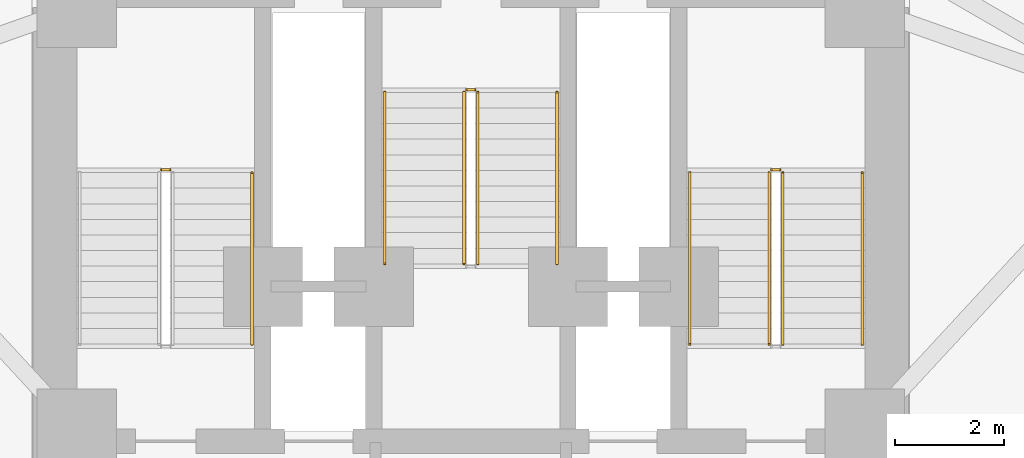
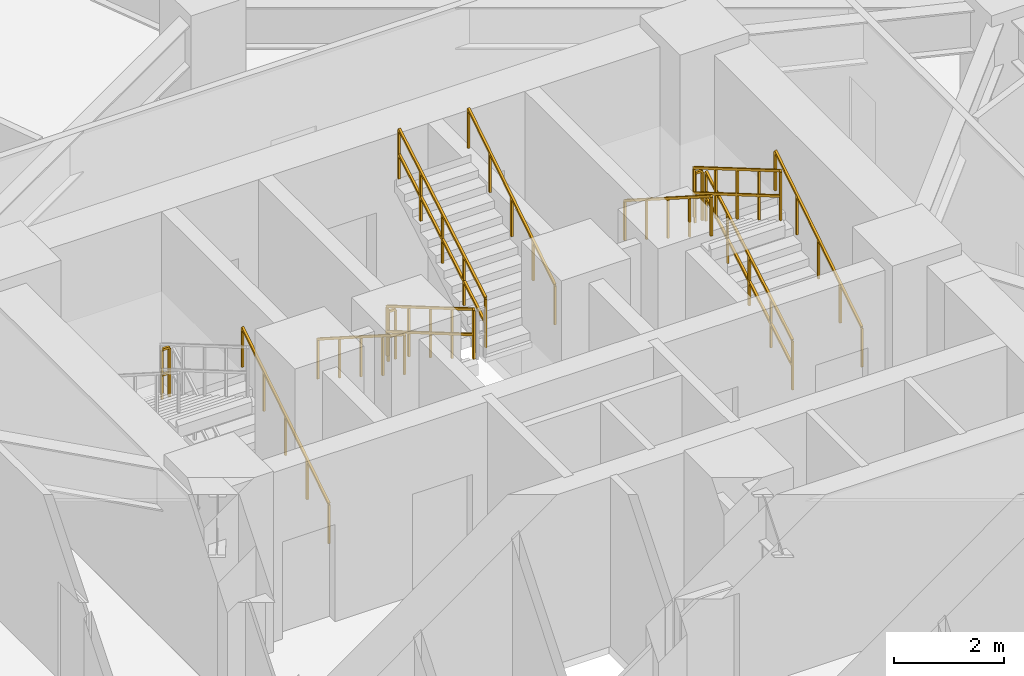
# One storey, part 12 of 12: 12 railings.
"""IFC4 building model written with IfcOpenShell, lengths in metres."""

import ifcopenshell
import ifcopenshell.guid

model = None  # the IFC model being written
_history = None  # IfcOwnerHistory: only IFC2X3 demands one
_inside = {}  # id of a spatial element -> (the spatial element, [elements in it])
_under = {}  # id of a project, library or spatial element -> (it, [spatial elements below it])
_declared = {}  # id of a project -> (the project, [libraries it declares])
_typed = {}  # id of a type object -> (the type object, [elements of that type])
_made_of = {}  # id of a material, layer set ... -> (it, [elements and type objects made of it])


def new_model(schema):
    """Start an empty IFC model of exactly this schema.

    Asked for "IFC4X3", IfcOpenShell would pick the latest addendum, in which some entities
    have other attributes; the version numbers below select the first issue.
    IFC2X3 requires an IfcOwnerHistory on every rooted entity: one is made here for all.
    """
    global model, _history
    if schema == "IFC4X3":
        model = ifcopenshell.file(schema_version=(4, 3, 0, 0))
    else:
        model = ifcopenshell.file(schema=schema)
    _inside.clear()
    _under.clear()
    _declared.clear()
    _typed.clear()
    _made_of.clear()
    _history = None
    if model.schema == "IFC2X3":
        org = make("IfcOrganization", Name="unknown")
        user = make(
            "IfcPersonAndOrganization",
            ThePerson=make("IfcPerson", FamilyName="unknown"),
            TheOrganization=org,
        )
        app = make(
            "IfcApplication",
            ApplicationDeveloper=org,
            Version="unknown",
            ApplicationFullName="unknown",
            ApplicationIdentifier="unknown",
        )
        _history = make(
            "IfcOwnerHistory",
            OwningUser=user,
            OwningApplication=app,
            ChangeAction="ADDED",
            CreationDate=0,
        )
    return model


def make(cls, **values):
    """One entity of the class cls with the attributes given. An attribute that is None is left unset."""
    return model.create_entity(
        cls, **{name: value for name, value in values.items() if value is not None}
    )


def rooted(cls, **values):
    """An entity with a GlobalId (a new one), such as an element, a storey or a relation."""
    return make(cls, GlobalId=ifcopenshell.guid.new(), OwnerHistory=_history, **values)


def si_unit(unit_type, name, prefix=None):
    """IfcSIUnit, for example si_unit("LENGTHUNIT", "METRE", prefix="MILLI")."""
    return make("IfcSIUnit", UnitType=unit_type, Prefix=prefix, Name=name)


def assignment(units):
    """IfcUnitAssignment: the units of a project."""
    return None if units is None else make("IfcUnitAssignment", Units=units)


def point(xyz):
    """IfcCartesianPoint."""
    return None if xyz is None else make("IfcCartesianPoint", Coordinates=xyz)


def direction(xyz):
    """IfcDirection."""
    return None if xyz is None else make("IfcDirection", DirectionRatios=xyz)


def frame(location, z_axis=None, x_axis=None):
    """IfcAxis2Placement3D, a coordinate frame: its origin and axes. An axis left out is left unset."""
    return make(
        "IfcAxis2Placement3D",
        Location=point(location),
        Axis=direction(z_axis),
        RefDirection=direction(x_axis),
    )


def frame_2d(location, x_axis=None):
    """IfcAxis2Placement2D, a coordinate frame in the plane: its origin and x axis."""
    return make(
        "IfcAxis2Placement2D", Location=point(location), RefDirection=direction(x_axis)
    )


def origin():
    """The frame at (0, 0, 0) with its axes left unset."""
    return frame((0.0, 0.0, 0.0))


def origin_2d():
    """The frame at (0, 0) in the plane with its x axis left unset."""
    return frame_2d((0.0, 0.0))


def place(relative_to, where):
    """IfcLocalPlacement: puts the frame where relative to a parent placement (None: the world)."""
    return make(
        "IfcLocalPlacement", PlacementRelTo=relative_to, RelativePlacement=where
    )


def context(
    kind, dimensions, precision=None, world=None, true_north=None, identifier=None
):
    """IfcGeometricRepresentationContext, for example the 3D "Model" context."""
    return make(
        "IfcGeometricRepresentationContext",
        ContextIdentifier=identifier,
        ContextType=kind,
        CoordinateSpaceDimension=dimensions,
        Precision=precision,
        WorldCoordinateSystem=world,
        TrueNorth=true_north,
    )


def subcontext(parent, identifier, kind, view, scale=None):
    """IfcGeometricRepresentationSubContext, for example "Body" below "Model"."""
    return make(
        "IfcGeometricRepresentationSubContext",
        ContextIdentifier=identifier,
        ContextType=kind,
        ParentContext=parent,
        TargetScale=scale,
        TargetView=view,
    )


def project(units=None, contexts=None):
    """IfcProject with its units and contexts."""
    return rooted(
        "IfcProject",
        Name="project",
        RepresentationContexts=contexts,
        UnitsInContext=assignment(units),
    )


def spatial(cls, under=None, at=None, **own):
    """A site, building, storey or space (cls), placed at a placement, below another one or the project."""
    s = rooted(cls, ObjectPlacement=at, **own)
    if under is not None:
        _under.setdefault(under.id(), (under, []))[1].append(s)
    return s


def profile(cls, at=None, kind="AREA", **sizes):
    """A parametric profile (cls). Its sizes go by their IFC names, for example OverallWidth=200.0."""
    return make(cls, ProfileType=kind, Position=at, **sizes)


def rectangle(**sizes):
    """IfcRectangleProfileDef."""
    return profile("IfcRectangleProfileDef", **sizes)


def extrude(swept, where, along, depth):
    """IfcExtrudedAreaSolid: the profile swept, set in the frame where, extruded along a direction by depth."""
    return make(
        "IfcExtrudedAreaSolid",
        SweptArea=swept,
        Position=where,
        ExtrudedDirection=direction(along),
        Depth=depth,
    )


def shape(context_of_items, identifier, shape_type, items):
    """IfcShapeRepresentation: the items that make up one representation, for example the "Body"."""
    return make(
        "IfcShapeRepresentation",
        ContextOfItems=context_of_items,
        RepresentationIdentifier=identifier,
        RepresentationType=shape_type,
        Items=items,
    )


def material(Name=None, Category=None):
    """IfcMaterial."""
    return make("IfcMaterial", Name=Name, Category=Category)


def made_of(thing, what):
    """Note that an element or type object is made of a material, layer set ...; save() writes the relation."""
    if what is not None:
        _made_of.setdefault(what.id(), (what, []))[1].append(thing)
    return thing


def type_object(cls, material=None, **own):
    """A type object (cls), such as IfcWallType, which elements share."""
    return made_of(rooted(cls, **own), material)


def element(
    cls,
    number,
    at=None,
    inside=None,
    cuts=None,
    type_object=None,
    material=None,
    context=None,
    identifier="Body",
    shape_type=None,
    held_by="IfcProductDefinitionShape",
    body=None,
    shapes=None,
    **own,
):
    """One element of the class cls, such as IfcWall. Its Tag is "e" and its number.

    at: its placement. inside: the storey or other place that contains it. cuts: it is an
    opening in that element (IfcRelVoidsElement). A single representation is given by context,
    identifier, shape_type and body (its items); several are given by shapes. held_by: the class
    of the entity that holds the representations. save() writes the other relations.
    """
    e = rooted(cls, Tag="e%d" % number, ObjectPlacement=at, **own)
    if body is not None:
        shapes = [shape(context, identifier, shape_type, body)]
    if shapes is not None:
        e.Representation = make(held_by, Representations=shapes)
    if inside is not None:
        _inside.setdefault(inside.id(), (inside, []))[1].append(e)
    if cuts is not None:
        rooted(
            "IfcRelVoidsElement", RelatingBuildingElement=cuts, RelatedOpeningElement=e
        )
    if type_object is not None:
        _typed.setdefault(type_object.id(), (type_object, []))[1].append(e)
    return made_of(e, material)


def aggregate(whole, parts):
    """IfcRelAggregates: a whole, such as a stair, and the parts it consists of."""
    return rooted("IfcRelAggregates", RelatingObject=whole, RelatedObjects=parts)


def save(model, path):
    """Write the relations noted so far, then the file.

    IfcRelAggregates (storeys below a building ...), IfcRelContainedInSpatialStructure (elements
    in a storey), IfcRelDefinesByType, IfcRelAssociatesMaterial and IfcRelDeclares: one each for
    every whole, place, type object, material and project.
    """
    for whole, parts in _under.values():
        aggregate(whole, parts)
    for where, things in _inside.values():
        rooted(
            "IfcRelContainedInSpatialStructure",
            RelatedElements=things,
            RelatingStructure=where,
        )
    for kind, things in _typed.values():
        rooted("IfcRelDefinesByType", RelatedObjects=things, RelatingType=kind)
    for what, things in _made_of.values():
        rooted("IfcRelAssociatesMaterial", RelatedObjects=things, RelatingMaterial=what)
    for by, libraries in _declared.values():
        rooted("IfcRelDeclares", RelatingContext=by, RelatedDefinitions=libraries)
    model.write(path)


model = new_model("IFC4")

# Units and contexts
model_context = context("Model", 3, precision=1e-05, world=origin(), true_north=direction((0.0, 1.0)))
body_context = subcontext(model_context, "Body", "Model", "MODEL_VIEW")
ifc_project = project(units=[si_unit("LENGTHUNIT", "METRE"), si_unit("AREAUNIT", "SQUARE_METRE"), si_unit("VOLUMEUNIT", "CUBIC_METRE"), si_unit("PLANEANGLEUNIT", "RADIAN"), si_unit("MASSUNIT", "GRAM", prefix="KILO")], contexts=[model_context])

# Site, building, storey
site_placement = place(None, origin())
site = spatial("IfcSite", under=ifc_project, at=site_placement, CompositionType="ELEMENT")
building_placement = place(site_placement, origin())
building = spatial("IfcBuilding", under=site, at=building_placement, Name="Apsidion Concourse Tower", CompositionType="ELEMENT")
storey_placement = place(building_placement, frame((0.0, 0.0, 71.0)))
storey = spatial("IfcBuildingStorey", under=building, at=storey_placement, Name="L15", CompositionType="ELEMENT", Elevation=71.0)

# Railings
ifc_material = material(Name="Brushed stainless steel 316", Category="steel")
railing_type_1 = type_object("IfcRailingType", Name="RL-GUARD-1100", PredefinedType="GUARDRAIL", material=ifc_material)
railing_1_placement = place(storey_placement, frame((-5.5, 6.18505859375, 2.0)))
element("IfcRailing", 1, at=railing_1_placement, inside=storey, type_object=railing_type_1, Name="L15 ST1 stair guard 2", PredefinedType="GUARDRAIL", context=body_context, shape_type="SweptSolid", body=[
    extrude(rectangle(XDim=0.048095703125, YDim=0.048095703125, at=origin_2d()), frame((0.0, 0.0, 1.09619140625), z_axis=(-1.0, 0.0, 0.0), x_axis=(0.0, -1.0, 0.0)), (0.0, 0.0, 1.0), 0.14990234375),
    extrude(rectangle(XDim=0.048095703125, YDim=0.048095703125, at=origin_2d()), frame((0.0, 0.0, 0.5361328125), z_axis=(-1.0, 0.0, 0.0), x_axis=(0.0, -1.0, 0.0)), (0.0, 0.0, 1.0), 0.14990234375),
    extrude(rectangle(XDim=0.0419921875, YDim=0.0419921875, at=origin_2d()), origin(), (0.0, 0.0, 1.0), 1.072021484375),
    extrude(rectangle(XDim=0.0419921875, YDim=0.0419921875, at=origin_2d()), frame((-0.14990234375, 0.0, 0.0)), (0.0, 0.0, 1.0), 1.072021484375),
])
railing_2_placement = place(storey_placement, frame((5.699951171875, 3.0, 0.166748046875)))
element("IfcRailing", 2, at=railing_2_placement, inside=storey, type_object=railing_type_1, Name="L15 ST2 stair guard 1", PredefinedType="GUARDRAIL", context=body_context, shape_type="SweptSolid", body=[
    extrude(rectangle(XDim=0.048095703125, YDim=0.048095703125, at=origin_2d()), frame((0.0, 0.0, 1.09619140625), z_axis=(0.0, 0.863239559939, 0.504794475164), x_axis=(-1.0, 0.0, 0.0)), (0.0, 0.0, 1.0), 3.631591796875),
    extrude(rectangle(XDim=0.048095703125, YDim=0.048095703125, at=origin_2d()), frame((0.0, 0.0, 0.5361328125), z_axis=(0.0, 0.863239559939, 0.504794475164), x_axis=(-1.0, 0.0, 0.0)), (0.0, 0.0, 1.0), 3.631591796875),
    extrude(rectangle(XDim=0.0419921875, YDim=0.0419921875, at=origin_2d()), origin(), (0.0, 0.0, 1.0), 1.072021484375),
    extrude(rectangle(XDim=0.0419921875, YDim=0.0419921875, at=origin_2d()), frame((0.0, 0.78369140625, 0.458251953125)), (0.0, 0.0, 1.0), 1.072021484375),
    extrude(rectangle(XDim=0.0419921875, YDim=0.0419921875, at=origin_2d()), frame((0.0, 1.5673828125, 0.91650390625)), (0.0, 0.0, 1.0), 1.072021484375),
    extrude(rectangle(XDim=0.0419921875, YDim=0.0419921875, at=origin_2d()), frame((0.0, 2.351318359375, 1.375)), (0.0, 0.0, 1.0), 1.072021484375),
    extrude(rectangle(XDim=0.0419921875, YDim=0.0419921875, at=origin_2d()), frame((0.0, 3.135009765625, 1.833251953125)), (0.0, 0.0, 1.0), 1.072021484375),
])
railing_3_placement = place(storey_placement, frame((5.64990234375, 6.18505859375, 2.0)))
element("IfcRailing", 3, at=railing_3_placement, inside=storey, type_object=railing_type_1, Name="L15 ST2 stair guard 2", PredefinedType="GUARDRAIL", context=body_context, shape_type="SweptSolid", body=[
    extrude(rectangle(XDim=0.048095703125, YDim=0.048095703125, at=origin_2d()), frame((0.0, 0.0, 1.09619140625), z_axis=(-1.0, 0.0, 0.0), x_axis=(0.0, -1.0, 0.0)), (0.0, 0.0, 1.0), 0.14990234375),
    extrude(rectangle(XDim=0.048095703125, YDim=0.048095703125, at=origin_2d()), frame((0.0, 0.0, 0.5361328125), z_axis=(-1.0, 0.0, 0.0), x_axis=(0.0, -1.0, 0.0)), (0.0, 0.0, 1.0), 0.14990234375),
    extrude(rectangle(XDim=0.0419921875, YDim=0.0419921875, at=origin_2d()), origin(), (0.0, 0.0, 1.0), 1.072021484375),
    extrude(rectangle(XDim=0.0419921875, YDim=0.0419921875, at=origin_2d()), frame((-0.14990234375, 0.0, 0.0)), (0.0, 0.0, 1.0), 1.072021484375),
])
for number, where, name in (
    (4, (5.449951171875, 6.135009765625, 2.166748046875), "L15 ST2 stair guard 3"),
    (5, (-0.125, 7.60009765625, 0.166748046875), "L15 ST3 stair guard 1"),
):
    element("IfcRailing", number, at=place(storey_placement, frame(where)), inside=storey, type_object=railing_type_1, Name=name, PredefinedType="GUARDRAIL", context=body_context, shape_type="SweptSolid", body=[
        extrude(rectangle(XDim=0.048095703125, YDim=0.048095703125, at=origin_2d()), frame((0.0, 0.0, 1.09619140625), z_axis=(0.0, -0.863239559939, 0.504794475164), x_axis=(1.0, 0.0, 0.0)), (0.0, 0.0, 1.0), 3.631591796875),
        extrude(rectangle(XDim=0.048095703125, YDim=0.048095703125, at=origin_2d()), frame((0.0, 0.0, 0.5361328125), z_axis=(0.0, -0.863239559939, 0.504794475164), x_axis=(1.0, 0.0, 0.0)), (0.0, 0.0, 1.0), 3.631591796875),
        extrude(rectangle(XDim=0.0419921875, YDim=0.0419921875, at=origin_2d()), origin(), (0.0, 0.0, 1.0), 1.072021484375),
        extrude(rectangle(XDim=0.0419921875, YDim=0.0419921875, at=origin_2d()), frame((0.0, -0.78369140625, 0.458251953125)), (0.0, 0.0, 1.0), 1.072021484375),
        extrude(rectangle(XDim=0.0419921875, YDim=0.0419921875, at=origin_2d()), frame((0.0, -1.5673828125, 0.91650390625)), (0.0, 0.0, 1.0), 1.072021484375),
        extrude(rectangle(XDim=0.0419921875, YDim=0.0419921875, at=origin_2d()), frame((0.0, -2.351318359375, 1.375)), (0.0, 0.0, 1.0), 1.072021484375),
        extrude(rectangle(XDim=0.0419921875, YDim=0.0419921875, at=origin_2d()), frame((0.0, -3.135009765625, 1.833251953125)), (0.0, 0.0, 1.0), 1.072021484375),
    ])
railing_4_placement = place(storey_placement, frame((0.125, 4.465087890625, 2.166748046875)))
element("IfcRailing", 6, at=railing_4_placement, inside=storey, type_object=railing_type_1, Name="L15 ST3 stair guard 3", PredefinedType="GUARDRAIL", context=body_context, shape_type="SweptSolid", body=[
    extrude(rectangle(XDim=0.048095703125, YDim=0.048095703125, at=origin_2d()), frame((0.0, 0.0, 1.09619140625), z_axis=(0.0, 0.863239559939, 0.504794475164), x_axis=(-1.0, 0.0, 0.0)), (0.0, 0.0, 1.0), 3.631591796875),
    extrude(rectangle(XDim=0.048095703125, YDim=0.048095703125, at=origin_2d()), frame((0.0, 0.0, 0.5361328125), z_axis=(0.0, 0.863239559939, 0.504794475164), x_axis=(-1.0, 0.0, 0.0)), (0.0, 0.0, 1.0), 3.631591796875),
    extrude(rectangle(XDim=0.0419921875, YDim=0.0419921875, at=origin_2d()), origin(), (0.0, 0.0, 1.0), 1.072021484375),
    extrude(rectangle(XDim=0.0419921875, YDim=0.0419921875, at=origin_2d()), frame((0.0, 0.78369140625, 0.458251953125)), (0.0, 0.0, 1.0), 1.072021484375),
    extrude(rectangle(XDim=0.0419921875, YDim=0.0419921875, at=origin_2d()), frame((0.0, 1.5673828125, 0.91650390625)), (0.0, 0.0, 1.0), 1.072021484375),
    extrude(rectangle(XDim=0.0419921875, YDim=0.0419921875, at=origin_2d()), frame((0.0, 2.351318359375, 1.375)), (0.0, 0.0, 1.0), 1.072021484375),
    extrude(rectangle(XDim=0.0419921875, YDim=0.0419921875, at=origin_2d()), frame((0.0, 3.135009765625, 1.833251953125)), (0.0, 0.0, 1.0), 1.072021484375),
])
railing_5_placement = place(storey_placement, frame((-0.074951171875, 7.64990234375, 0.0)))
element("IfcRailing", 7, at=railing_5_placement, inside=storey, type_object=railing_type_1, Name="L15 ST3 stair guard 4", PredefinedType="GUARDRAIL", context=body_context, shape_type="SweptSolid", body=[
    extrude(rectangle(XDim=0.048095703125, YDim=0.048095703125, at=origin_2d()), frame((0.0, 0.0, 1.09619140625), z_axis=(1.0, 0.0, 0.0), x_axis=(0.0, 1.0, 0.0)), (0.0, 0.0, 1.0), 0.14990234375),
    extrude(rectangle(XDim=0.048095703125, YDim=0.048095703125, at=origin_2d()), frame((0.0, 0.0, 0.5361328125), z_axis=(1.0, 0.0, 0.0), x_axis=(0.0, 1.0, 0.0)), (0.0, 0.0, 1.0), 0.14990234375),
    extrude(rectangle(XDim=0.0419921875, YDim=0.0419921875, at=origin_2d()), origin(), (0.0, 0.0, 1.0), 1.072021484375),
    extrude(rectangle(XDim=0.0419921875, YDim=0.0419921875, at=origin_2d()), frame((0.14990234375, 0.0, 0.0)), (0.0, 0.0, 1.0), 1.072021484375),
])
railing_type_2 = type_object("IfcRailingType", Name="RL-HAND-900", PredefinedType="HANDRAIL", material=ifc_material)
for number, where, name in (
    (8, (-4.0, 3.0, 0.166748046875), "L15 ST1 stair handrail 1"),
    (9, (7.14990234375, 3.0, 0.166748046875), "L15 ST2 stair handrail 1"),
):
    element("IfcRailing", number, at=place(storey_placement, frame(where)), inside=storey, type_object=railing_type_2, Name=name, PredefinedType="HANDRAIL", context=body_context, shape_type="SweptSolid", body=[
        extrude(rectangle(XDim=0.048095703125, YDim=0.048095703125, at=origin_2d()), frame((0.0, 0.0, 0.8759765625), z_axis=(0.0, 0.843052688722, 0.537830980921), x_axis=(-1.0, 0.0, 0.0)), (0.0, 0.0, 1.0), 3.71875),
        extrude(rectangle(XDim=0.0419921875, YDim=0.0419921875, at=origin_2d()), origin(), (0.0, 0.0, 1.0), 0.851806640625),
        extrude(rectangle(XDim=0.0419921875, YDim=0.0419921875, at=origin_2d()), frame((0.0, 0.78369140625, 0.5)), (0.0, 0.0, 1.0), 0.851806640625),
        extrude(rectangle(XDim=0.0419921875, YDim=0.0419921875, at=origin_2d()), frame((0.0, 1.5673828125, 1.0)), (0.0, 0.0, 1.0), 0.851806640625),
        extrude(rectangle(XDim=0.0419921875, YDim=0.0419921875, at=origin_2d()), frame((0.0, 2.351318359375, 1.5)), (0.0, 0.0, 1.0), 0.851806640625),
        extrude(rectangle(XDim=0.0419921875, YDim=0.0419921875, at=origin_2d()), frame((0.0, 3.135009765625, 2.0)), (0.0, 0.0, 1.0), 0.851806640625),
    ])
for number, where, name in (
    (10, (4.0, 6.135009765625, 2.166748046875), "L15 ST2 stair handrail 2"),
    (11, (-1.574951171875, 7.60009765625, 0.166748046875), "L15 ST3 stair handrail 1"),
):
    element("IfcRailing", number, at=place(storey_placement, frame(where)), inside=storey, type_object=railing_type_2, Name=name, PredefinedType="HANDRAIL", context=body_context, shape_type="SweptSolid", body=[
        extrude(rectangle(XDim=0.048095703125, YDim=0.048095703125, at=origin_2d()), frame((0.0, 0.0, 0.8759765625), z_axis=(0.0, -0.843052688722, 0.537830980921), x_axis=(1.0, 0.0, 0.0)), (0.0, 0.0, 1.0), 3.71875),
        extrude(rectangle(XDim=0.0419921875, YDim=0.0419921875, at=origin_2d()), origin(), (0.0, 0.0, 1.0), 0.851806640625),
        extrude(rectangle(XDim=0.0419921875, YDim=0.0419921875, at=origin_2d()), frame((0.0, -0.78369140625, 0.5)), (0.0, 0.0, 1.0), 0.851806640625),
        extrude(rectangle(XDim=0.0419921875, YDim=0.0419921875, at=origin_2d()), frame((0.0, -1.5673828125, 1.0)), (0.0, 0.0, 1.0), 0.851806640625),
        extrude(rectangle(XDim=0.0419921875, YDim=0.0419921875, at=origin_2d()), frame((0.0, -2.351318359375, 1.5)), (0.0, 0.0, 1.0), 0.851806640625),
        extrude(rectangle(XDim=0.0419921875, YDim=0.0419921875, at=origin_2d()), frame((0.0, -3.135009765625, 2.0)), (0.0, 0.0, 1.0), 0.851806640625),
    ])
railing_6_placement = place(storey_placement, frame((1.574951171875, 4.465087890625, 2.166748046875)))
element("IfcRailing", 12, at=railing_6_placement, inside=storey, type_object=railing_type_2, Name="L15 ST3 stair handrail 2", PredefinedType="HANDRAIL", context=body_context, shape_type="SweptSolid", body=[
    extrude(rectangle(XDim=0.048095703125, YDim=0.048095703125, at=origin_2d()), frame((0.0, 0.0, 0.8759765625), z_axis=(0.0, 0.843052688722, 0.537830980921), x_axis=(-1.0, 0.0, 0.0)), (0.0, 0.0, 1.0), 3.71875),
    extrude(rectangle(XDim=0.0419921875, YDim=0.0419921875, at=origin_2d()), origin(), (0.0, 0.0, 1.0), 0.851806640625),
    extrude(rectangle(XDim=0.0419921875, YDim=0.0419921875, at=origin_2d()), frame((0.0, 0.78369140625, 0.5)), (0.0, 0.0, 1.0), 0.851806640625),
    extrude(rectangle(XDim=0.0419921875, YDim=0.0419921875, at=origin_2d()), frame((0.0, 1.5673828125, 1.0)), (0.0, 0.0, 1.0), 0.851806640625),
    extrude(rectangle(XDim=0.0419921875, YDim=0.0419921875, at=origin_2d()), frame((0.0, 2.351318359375, 1.5)), (0.0, 0.0, 1.0), 0.851806640625),
    extrude(rectangle(XDim=0.0419921875, YDim=0.0419921875, at=origin_2d()), frame((0.0, 3.135009765625, 2.0)), (0.0, 0.0, 1.0), 0.851806640625),
])

save(model, "model.ifc")
